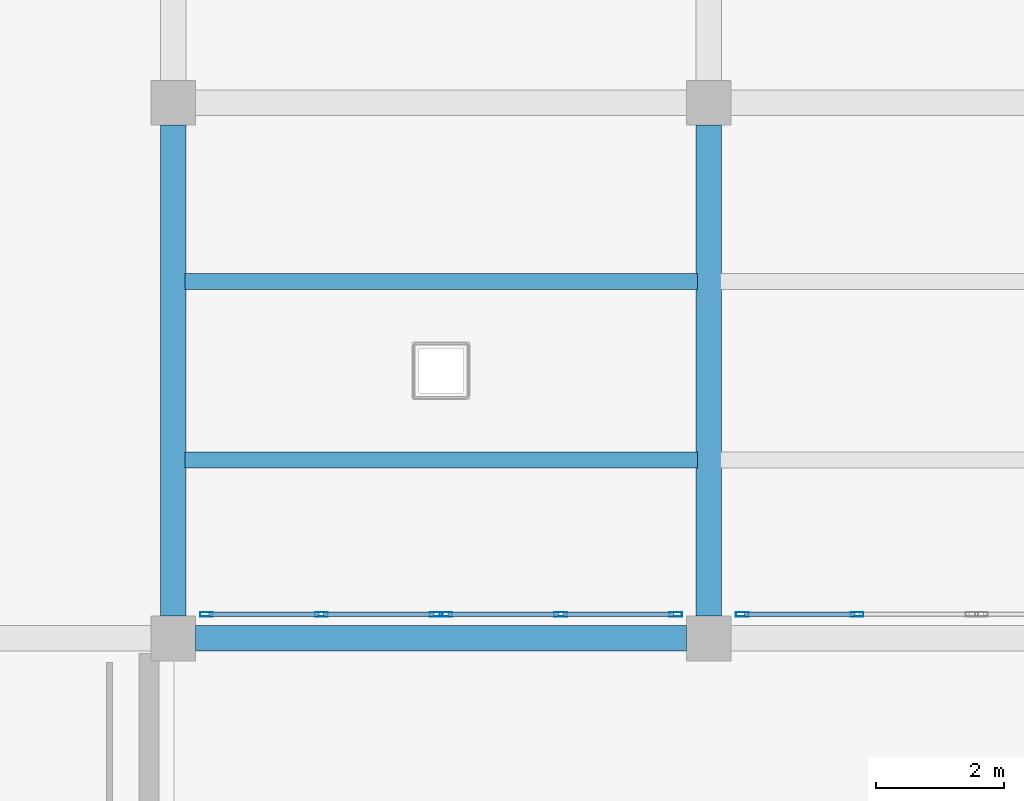
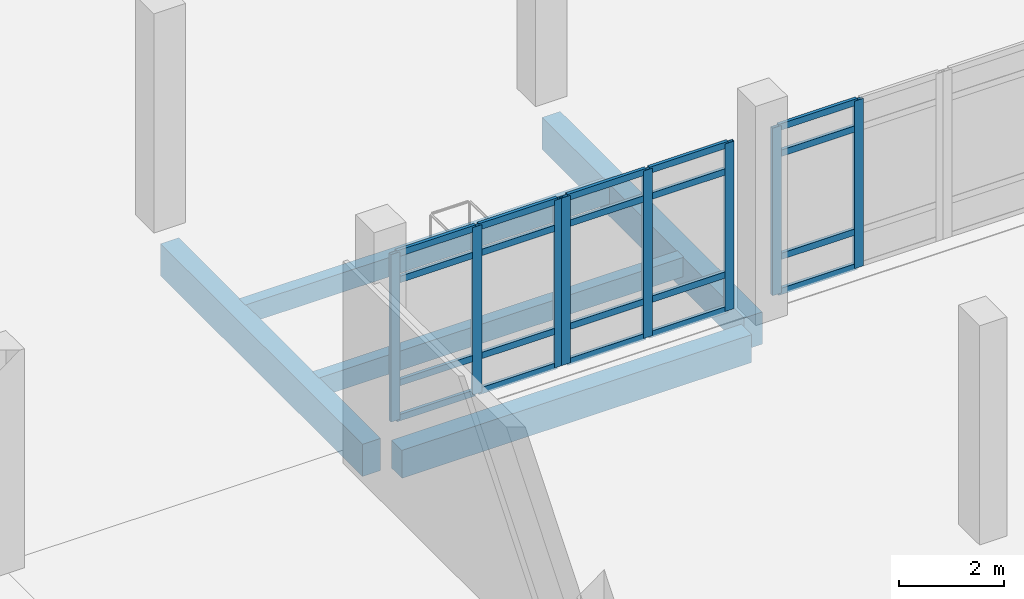
# One storey, part 7 of 64: 28 members, 5 beams, 3 elements without a shape of their own.
"""IFC4 building model written with IfcOpenShell, lengths in metres."""

from ifc_helpers import new_model, si_unit, derived_unit, direction, frame, origin, origin_2d, place, context, subcontext, project, spatial, rectangle, hollow_rectangle, extrude, material, layer, layer_set, material_profile, profile_set, type_object, element, aggregate, save


model = new_model("IFC4")

# Units and contexts
model_context = context("Model", 3, precision=1e-05, world=origin(), true_north=direction((0.0, 1.0)))
body_context = subcontext(model_context, "Body", "Model", "MODEL_VIEW")
ifc_project = project(units=[si_unit("LENGTHUNIT", "METRE"), si_unit("AREAUNIT", "SQUARE_METRE"), si_unit("VOLUMEUNIT", "CUBIC_METRE"), si_unit("PLANEANGLEUNIT", "RADIAN"), si_unit("MASSUNIT", "GRAM", prefix="KILO"), derived_unit("THERMALTRANSMITTANCEUNIT", [(si_unit("POWERUNIT", "WATT"), 1), (si_unit("LENGTHUNIT", "METRE"), -2), (si_unit("THERMODYNAMICTEMPERATUREUNIT", "KELVIN"), -1)])], contexts=[model_context])

# Site, building, storey
site_placement = place(None, origin())
site = spatial("IfcSite", under=ifc_project, at=site_placement, CompositionType="ELEMENT")
building_placement = place(site_placement, origin())
building = spatial("IfcBuilding", under=site, at=building_placement, Name="Elbkamm Science Centre", CompositionType="ELEMENT")
storey_placement = place(building_placement, origin())
storey = spatial("IfcBuildingStorey", under=building, at=storey_placement, Name="L00", CompositionType="ELEMENT", Elevation=0.0)

# Beams
ifc_material_1 = material(Name="Concrete C40/50", Category="concrete")
ifc_material_profile_1 = material_profile(ifc_material_1, rectangle(XDim=0.39990234375, YDim=0.64990234375, at=origin_2d()), Name="RC 400x650")
ifc_profile_set_1 = profile_set([ifc_material_profile_1], Name="Concrete C40/50")
beam_type_1 = type_object("IfcBeamType", Name="BM-RC-400x650", PredefinedType="BEAM", material=ifc_profile_set_1)
beam_placement = place(storey_placement, frame((101.14990234375, 42.0, -0.625), z_axis=(1.0, 0.0, 0.0), x_axis=(0.0, 1.0, 0.0)))
element("IfcBeam", 1, at=beam_placement, inside=storey, type_object=beam_type_1, Name="L00 Primary X-Girder 042", PredefinedType="BEAM", context=body_context, shape_type="SweptSolid", body=[
    extrude(rectangle(XDim=0.39990234375, YDim=0.64990234375, at=origin_2d()), origin(), (0.0, 0.0, 1.0), 7.7001953125),
])
ifc_material_profile_2 = material_profile(ifc_material_1, rectangle(XDim=0.39990234375, YDim=0.75, at=origin_2d()), Name="RC 400x750")
ifc_profile_set_2 = profile_set([ifc_material_profile_2], Name="Concrete C40/50")
beam_type_2 = type_object("IfcBeamType", Name="BM-RC-400x750", PredefinedType="BEAM", material=ifc_profile_set_2)
for number, where, z_axis, x_axis, name in (
    (2, (100.800048828125, 42.35009765625, -0.675048828125), (0.0, 1.0, 0.0), (-1.0, 0.0, 0.0), "L00 Primary Y-Girder 036"),
    (3, (109.199951171875, 42.35009765625, -0.675048828125), (0.0, 1.0, 0.0), (-1.0, 0.0, 0.0), "L00 Primary Y-Girder 040"),
):
    element("IfcBeam", number, at=place(storey_placement, frame(where, z_axis=z_axis, x_axis=x_axis)), inside=storey, type_object=beam_type_2, Name=name, PredefinedType="BEAM", context=body_context, shape_type="SweptSolid", body=[
        extrude(rectangle(XDim=0.39990234375, YDim=0.75, at=origin_2d()), origin(), (0.0, 0.0, 1.0), 7.699951171875),
    ])

# Curtain wall, members
ifc_material_2 = material(Name="Powder-coated aluminium and triple low-E glazing", Category="aluminium")
ifc_layer = layer(ifc_material_2, 0.159912109375)
ifc_layer_set = layer_set([ifc_layer], Name="Powder-coated aluminium and triple low-E glazing")
curtain_wall_type = type_object("IfcCurtainWallType", Name="CW-UNIT-3680x3900", PredefinedType="USERDEFINED", material=ifc_layer_set)
curtain_wall_1_placement = place(storey_placement, origin())
curtain_wall_1 = element("IfcCurtainWall", 4, at=curtain_wall_1_placement, inside=storey, type_object=curtain_wall_type, Name="L00 Unitised Curtain Wall 141", ObjectType="UNITISED CURTAIN WALL", PredefinedType="USERDEFINED")
ifc_material_3 = material(Name="Powder-coated aluminium EN AW-6060", Category="aluminium")
ifc_material_profile_3 = material_profile(ifc_material_3, hollow_rectangle(XDim=0.070068359375, YDim=0.199951171875, WallThickness=0.00439453125, at=origin_2d()), Name="ALU M70x200")
ifc_profile_set_3 = profile_set([ifc_material_profile_3], Name="Powder-coated aluminium EN AW-6060")
member_type_1 = type_object("IfcMemberType", Name="CW-MUL-70x200", PredefinedType="MULLION", material=ifc_profile_set_3)
member_1_placement = place(storey_placement, frame((111.523193359375, 42.3798828125, 0.0), z_axis=(0.0, 0.0, 1.0), x_axis=(0.0, -1.0, 0.0)))
member_1 = element("IfcMember", 5, at=member_1_placement, type_object=member_type_1, Name="CW-066 mullion 2", PredefinedType="MULLION", context=body_context, shape_type="SweptSolid", body=[
    extrude(hollow_rectangle(XDim=0.070068359375, YDim=0.199951171875, WallThickness=0.00439453125, at=origin_2d()), origin(), (0.0, 0.0, 1.0), 3.89990234375),
])
member_2_placement = place(storey_placement, frame((109.72119140625, 42.3798828125, 0.0), z_axis=(0.0, 0.0, 1.0), x_axis=(0.0, -1.0, 0.0)))
member_2 = element("IfcMember", 6, at=member_2_placement, type_object=member_type_1, Name="CW-066 mullion 3", PredefinedType="MULLION", context=body_context, shape_type="SweptSolid", body=[
    extrude(hollow_rectangle(XDim=0.070068359375, YDim=0.199951171875, WallThickness=0.00439453125, at=origin_2d()), origin(), (0.0, 0.0, 1.0), 3.89990234375),
])

curtain_wall_2_placement = place(storey_placement, origin())
curtain_wall_2 = element("IfcCurtainWall", 7, at=curtain_wall_2_placement, inside=storey, type_object=curtain_wall_type, Name="L00 Unitised Curtain Wall 142", ObjectType="UNITISED CURTAIN WALL", PredefinedType="USERDEFINED")
member_3_placement = place(storey_placement, frame((108.6787109375, 42.3798828125, 0.0), z_axis=(0.0, 0.0, 1.0), x_axis=(0.0, -1.0, 0.0)))
member_3 = element("IfcMember", 8, at=member_3_placement, type_object=member_type_1, Name="CW-066 mullion 1", PredefinedType="MULLION", context=body_context, shape_type="SweptSolid", body=[
    extrude(hollow_rectangle(XDim=0.070068359375, YDim=0.199951171875, WallThickness=0.00439453125, at=origin_2d()), origin(), (0.0, 0.0, 1.0), 3.89990234375),
])
member_4_placement = place(storey_placement, frame((106.876953125, 42.3798828125, 0.0), z_axis=(0.0, 0.0, 1.0), x_axis=(0.0, -1.0, 0.0)))
member_4 = element("IfcMember", 9, at=member_4_placement, type_object=member_type_1, Name="CW-066 mullion 2", PredefinedType="MULLION", context=body_context, shape_type="SweptSolid", body=[
    extrude(hollow_rectangle(XDim=0.070068359375, YDim=0.199951171875, WallThickness=0.00439453125, at=origin_2d()), origin(), (0.0, 0.0, 1.0), 3.89990234375),
])
member_5_placement = place(storey_placement, frame((105.074951171875, 42.3798828125, 0.0), z_axis=(0.0, 0.0, 1.0), x_axis=(0.0, -1.0, 0.0)))
member_5 = element("IfcMember", 10, at=member_5_placement, type_object=member_type_1, Name="CW-066 mullion 3", PredefinedType="MULLION", context=body_context, shape_type="SweptSolid", body=[
    extrude(hollow_rectangle(XDim=0.070068359375, YDim=0.199951171875, WallThickness=0.00439453125, at=origin_2d()), origin(), (0.0, 0.0, 1.0), 3.89990234375),
])

curtain_wall_3_placement = place(storey_placement, origin())
curtain_wall_3 = element("IfcCurtainWall", 11, at=curtain_wall_3_placement, inside=storey, type_object=curtain_wall_type, Name="L00 Unitised Curtain Wall 143", ObjectType="UNITISED CURTAIN WALL", PredefinedType="USERDEFINED")
member_6_placement = place(storey_placement, frame((104.925048828125, 42.3798828125, 0.0), z_axis=(0.0, 0.0, 1.0), x_axis=(0.0, -1.0, 0.0)))
member_6 = element("IfcMember", 12, at=member_6_placement, type_object=member_type_1, Name="CW-066 mullion 1", PredefinedType="MULLION", context=body_context, shape_type="SweptSolid", body=[
    extrude(hollow_rectangle(XDim=0.070068359375, YDim=0.199951171875, WallThickness=0.00439453125, at=origin_2d()), origin(), (0.0, 0.0, 1.0), 3.89990234375),
])
member_7_placement = place(storey_placement, frame((103.123046875, 42.3798828125, 0.0), z_axis=(0.0, 0.0, 1.0), x_axis=(0.0, -1.0, 0.0)))
member_7 = element("IfcMember", 13, at=member_7_placement, type_object=member_type_1, Name="CW-066 mullion 2", PredefinedType="MULLION", context=body_context, shape_type="SweptSolid", body=[
    extrude(hollow_rectangle(XDim=0.070068359375, YDim=0.199951171875, WallThickness=0.00439453125, at=origin_2d()), origin(), (0.0, 0.0, 1.0), 3.89990234375),
])
member_8_placement = place(storey_placement, frame((101.3212890625, 42.3798828125, 0.0), z_axis=(0.0, 0.0, 1.0), x_axis=(0.0, -1.0, 0.0)))
member_8 = element("IfcMember", 14, at=member_8_placement, type_object=member_type_1, Name="CW-066 mullion 3", PredefinedType="MULLION", context=body_context, shape_type="SweptSolid", body=[
    extrude(hollow_rectangle(XDim=0.070068359375, YDim=0.199951171875, WallThickness=0.00439453125, at=origin_2d()), origin(), (0.0, 0.0, 1.0), 3.89990234375),
])

# Member
ifc_material_profile_4 = material_profile(ifc_material_3, hollow_rectangle(XDim=0.070068359375, YDim=0.14990234375, WallThickness=0.00390625, at=origin_2d()), Name="ALU T70x150")
ifc_profile_set_4 = profile_set([ifc_material_profile_4], Name="Powder-coated aluminium EN AW-6060")
member_type_2 = type_object("IfcMemberType", Name="CW-TRN-70x150", PredefinedType="USERDEFINED", material=ifc_profile_set_4)
member_9_placement = place(storey_placement, frame((111.488037109375, 42.3798828125, 0.034912109375), z_axis=(-1.0, 0.0, 0.0), x_axis=(0.0, -1.0, 0.0)))
member_9 = element("IfcMember", 15, at=member_9_placement, type_object=member_type_2, Name="CW-066 transom 2.1", ObjectType="TRANSOM", PredefinedType="USERDEFINED", context=body_context, shape_type="SweptSolid", body=[
    extrude(hollow_rectangle(XDim=0.070068359375, YDim=0.14990234375, WallThickness=0.00390625, at=origin_2d()), origin(), (0.0, 0.0, 1.0), 1.731689453125),
])

member_10_placement = place(storey_placement, frame((111.488037109375, 42.3798828125, 0.85009765625), z_axis=(-1.0, 0.0, 0.0), x_axis=(0.0, -1.0, 0.0)))
member_10 = element("IfcMember", 16, at=member_10_placement, type_object=member_type_2, Name="CW-066 transom 2.2", ObjectType="TRANSOM", PredefinedType="USERDEFINED", context=body_context, shape_type="SweptSolid", body=[
    extrude(hollow_rectangle(XDim=0.070068359375, YDim=0.14990234375, WallThickness=0.00390625, at=origin_2d()), origin(), (0.0, 0.0, 1.0), 1.731689453125),
])

member_11_placement = place(storey_placement, frame((111.488037109375, 42.3798828125, 3.25), z_axis=(-1.0, 0.0, 0.0), x_axis=(0.0, -1.0, 0.0)))
member_11 = element("IfcMember", 17, at=member_11_placement, type_object=member_type_2, Name="CW-066 transom 2.3", ObjectType="TRANSOM", PredefinedType="USERDEFINED", context=body_context, shape_type="SweptSolid", body=[
    extrude(hollow_rectangle(XDim=0.070068359375, YDim=0.14990234375, WallThickness=0.00390625, at=origin_2d()), origin(), (0.0, 0.0, 1.0), 1.731689453125),
])

member_12_placement = place(storey_placement, frame((111.488037109375, 42.3798828125, 3.864990234375), z_axis=(-1.0, 0.0, 0.0), x_axis=(0.0, -1.0, 0.0)))
member_12 = element("IfcMember", 18, at=member_12_placement, type_object=member_type_2, Name="CW-066 transom 2.4", ObjectType="TRANSOM", PredefinedType="USERDEFINED", context=body_context, shape_type="SweptSolid", body=[
    extrude(hollow_rectangle(XDim=0.070068359375, YDim=0.14990234375, WallThickness=0.00390625, at=origin_2d()), origin(), (0.0, 0.0, 1.0), 1.731689453125),
])

aggregate(curtain_wall_1, [member_1, member_2, member_9, member_10, member_11, member_12])

member_13_placement = place(storey_placement, frame((108.643798828125, 42.3798828125, 0.034912109375), z_axis=(-1.0, 0.0, 0.0), x_axis=(0.0, -1.0, 0.0)))
member_13 = element("IfcMember", 19, at=member_13_placement, type_object=member_type_2, Name="CW-066 transom 1.1", ObjectType="TRANSOM", PredefinedType="USERDEFINED", context=body_context, shape_type="SweptSolid", body=[
    extrude(hollow_rectangle(XDim=0.070068359375, YDim=0.14990234375, WallThickness=0.00390625, at=origin_2d()), origin(), (0.0, 0.0, 1.0), 1.73193359375),
])

member_14_placement = place(storey_placement, frame((108.643798828125, 42.3798828125, 0.85009765625), z_axis=(-1.0, 0.0, 0.0), x_axis=(0.0, -1.0, 0.0)))
member_14 = element("IfcMember", 20, at=member_14_placement, type_object=member_type_2, Name="CW-066 transom 1.2", ObjectType="TRANSOM", PredefinedType="USERDEFINED", context=body_context, shape_type="SweptSolid", body=[
    extrude(hollow_rectangle(XDim=0.070068359375, YDim=0.14990234375, WallThickness=0.00390625, at=origin_2d()), origin(), (0.0, 0.0, 1.0), 1.73193359375),
])

member_15_placement = place(storey_placement, frame((108.643798828125, 42.3798828125, 3.25), z_axis=(-1.0, 0.0, 0.0), x_axis=(0.0, -1.0, 0.0)))
member_15 = element("IfcMember", 21, at=member_15_placement, type_object=member_type_2, Name="CW-066 transom 1.3", ObjectType="TRANSOM", PredefinedType="USERDEFINED", context=body_context, shape_type="SweptSolid", body=[
    extrude(hollow_rectangle(XDim=0.070068359375, YDim=0.14990234375, WallThickness=0.00390625, at=origin_2d()), origin(), (0.0, 0.0, 1.0), 1.73193359375),
])

member_16_placement = place(storey_placement, frame((108.643798828125, 42.3798828125, 3.864990234375), z_axis=(-1.0, 0.0, 0.0), x_axis=(0.0, -1.0, 0.0)))
member_16 = element("IfcMember", 22, at=member_16_placement, type_object=member_type_2, Name="CW-066 transom 1.4", ObjectType="TRANSOM", PredefinedType="USERDEFINED", context=body_context, shape_type="SweptSolid", body=[
    extrude(hollow_rectangle(XDim=0.070068359375, YDim=0.14990234375, WallThickness=0.00390625, at=origin_2d()), origin(), (0.0, 0.0, 1.0), 1.73193359375),
])

member_17_placement = place(storey_placement, frame((106.841796875, 42.3798828125, 0.034912109375), z_axis=(-1.0, 0.0, 0.0), x_axis=(0.0, -1.0, 0.0)))
member_17 = element("IfcMember", 23, at=member_17_placement, type_object=member_type_2, Name="CW-066 transom 2.1", ObjectType="TRANSOM", PredefinedType="USERDEFINED", context=body_context, shape_type="SweptSolid", body=[
    extrude(hollow_rectangle(XDim=0.070068359375, YDim=0.14990234375, WallThickness=0.00390625, at=origin_2d()), origin(), (0.0, 0.0, 1.0), 1.731689453125),
])

member_18_placement = place(storey_placement, frame((106.841796875, 42.3798828125, 0.85009765625), z_axis=(-1.0, 0.0, 0.0), x_axis=(0.0, -1.0, 0.0)))
member_18 = element("IfcMember", 24, at=member_18_placement, type_object=member_type_2, Name="CW-066 transom 2.2", ObjectType="TRANSOM", PredefinedType="USERDEFINED", context=body_context, shape_type="SweptSolid", body=[
    extrude(hollow_rectangle(XDim=0.070068359375, YDim=0.14990234375, WallThickness=0.00390625, at=origin_2d()), origin(), (0.0, 0.0, 1.0), 1.731689453125),
])

member_19_placement = place(storey_placement, frame((106.841796875, 42.3798828125, 3.25), z_axis=(-1.0, 0.0, 0.0), x_axis=(0.0, -1.0, 0.0)))
member_19 = element("IfcMember", 25, at=member_19_placement, type_object=member_type_2, Name="CW-066 transom 2.3", ObjectType="TRANSOM", PredefinedType="USERDEFINED", context=body_context, shape_type="SweptSolid", body=[
    extrude(hollow_rectangle(XDim=0.070068359375, YDim=0.14990234375, WallThickness=0.00390625, at=origin_2d()), origin(), (0.0, 0.0, 1.0), 1.731689453125),
])

member_20_placement = place(storey_placement, frame((106.841796875, 42.3798828125, 3.864990234375), z_axis=(-1.0, 0.0, 0.0), x_axis=(0.0, -1.0, 0.0)))
member_20 = element("IfcMember", 26, at=member_20_placement, type_object=member_type_2, Name="CW-066 transom 2.4", ObjectType="TRANSOM", PredefinedType="USERDEFINED", context=body_context, shape_type="SweptSolid", body=[
    extrude(hollow_rectangle(XDim=0.070068359375, YDim=0.14990234375, WallThickness=0.00390625, at=origin_2d()), origin(), (0.0, 0.0, 1.0), 1.731689453125),
])

aggregate(curtain_wall_2, [member_3, member_4, member_5, member_13, member_14, member_15, member_16, member_17, member_18, member_19, member_20])

member_21_placement = place(storey_placement, frame((104.889892578125, 42.3798828125, 0.034912109375), z_axis=(-1.0, 0.0, 0.0), x_axis=(0.0, -1.0, 0.0)))
member_21 = element("IfcMember", 27, at=member_21_placement, type_object=member_type_2, Name="CW-066 transom 1.1", ObjectType="TRANSOM", PredefinedType="USERDEFINED", context=body_context, shape_type="SweptSolid", body=[
    extrude(hollow_rectangle(XDim=0.070068359375, YDim=0.14990234375, WallThickness=0.00390625, at=origin_2d()), origin(), (0.0, 0.0, 1.0), 1.731689453125),
])

member_22_placement = place(storey_placement, frame((104.889892578125, 42.3798828125, 0.85009765625), z_axis=(-1.0, 0.0, 0.0), x_axis=(0.0, -1.0, 0.0)))
member_22 = element("IfcMember", 28, at=member_22_placement, type_object=member_type_2, Name="CW-066 transom 1.2", ObjectType="TRANSOM", PredefinedType="USERDEFINED", context=body_context, shape_type="SweptSolid", body=[
    extrude(hollow_rectangle(XDim=0.070068359375, YDim=0.14990234375, WallThickness=0.00390625, at=origin_2d()), origin(), (0.0, 0.0, 1.0), 1.731689453125),
])

member_23_placement = place(storey_placement, frame((104.889892578125, 42.3798828125, 3.25), z_axis=(-1.0, 0.0, 0.0), x_axis=(0.0, -1.0, 0.0)))
member_23 = element("IfcMember", 29, at=member_23_placement, type_object=member_type_2, Name="CW-066 transom 1.3", ObjectType="TRANSOM", PredefinedType="USERDEFINED", context=body_context, shape_type="SweptSolid", body=[
    extrude(hollow_rectangle(XDim=0.070068359375, YDim=0.14990234375, WallThickness=0.00390625, at=origin_2d()), origin(), (0.0, 0.0, 1.0), 1.731689453125),
])

member_24_placement = place(storey_placement, frame((104.889892578125, 42.3798828125, 3.864990234375), z_axis=(-1.0, 0.0, 0.0), x_axis=(0.0, -1.0, 0.0)))
member_24 = element("IfcMember", 30, at=member_24_placement, type_object=member_type_2, Name="CW-066 transom 1.4", ObjectType="TRANSOM", PredefinedType="USERDEFINED", context=body_context, shape_type="SweptSolid", body=[
    extrude(hollow_rectangle(XDim=0.070068359375, YDim=0.14990234375, WallThickness=0.00390625, at=origin_2d()), origin(), (0.0, 0.0, 1.0), 1.731689453125),
])

member_25_placement = place(storey_placement, frame((103.088134765625, 42.3798828125, 0.034912109375), z_axis=(-1.0, 0.0, 0.0), x_axis=(0.0, -1.0, 0.0)))
member_25 = element("IfcMember", 31, at=member_25_placement, type_object=member_type_2, Name="CW-066 transom 2.1", ObjectType="TRANSOM", PredefinedType="USERDEFINED", context=body_context, shape_type="SweptSolid", body=[
    extrude(hollow_rectangle(XDim=0.070068359375, YDim=0.14990234375, WallThickness=0.00390625, at=origin_2d()), origin(), (0.0, 0.0, 1.0), 1.73193359375),
])

member_26_placement = place(storey_placement, frame((103.088134765625, 42.3798828125, 0.85009765625), z_axis=(-1.0, 0.0, 0.0), x_axis=(0.0, -1.0, 0.0)))
member_26 = element("IfcMember", 32, at=member_26_placement, type_object=member_type_2, Name="CW-066 transom 2.2", ObjectType="TRANSOM", PredefinedType="USERDEFINED", context=body_context, shape_type="SweptSolid", body=[
    extrude(hollow_rectangle(XDim=0.070068359375, YDim=0.14990234375, WallThickness=0.00390625, at=origin_2d()), origin(), (0.0, 0.0, 1.0), 1.73193359375),
])

member_27_placement = place(storey_placement, frame((103.088134765625, 42.3798828125, 3.25), z_axis=(-1.0, 0.0, 0.0), x_axis=(0.0, -1.0, 0.0)))
member_27 = element("IfcMember", 33, at=member_27_placement, type_object=member_type_2, Name="CW-066 transom 2.3", ObjectType="TRANSOM", PredefinedType="USERDEFINED", context=body_context, shape_type="SweptSolid", body=[
    extrude(hollow_rectangle(XDim=0.070068359375, YDim=0.14990234375, WallThickness=0.00390625, at=origin_2d()), origin(), (0.0, 0.0, 1.0), 1.73193359375),
])

member_28_placement = place(storey_placement, frame((103.088134765625, 42.3798828125, 3.864990234375), z_axis=(-1.0, 0.0, 0.0), x_axis=(0.0, -1.0, 0.0)))
member_28 = element("IfcMember", 34, at=member_28_placement, type_object=member_type_2, Name="CW-066 transom 2.4", ObjectType="TRANSOM", PredefinedType="USERDEFINED", context=body_context, shape_type="SweptSolid", body=[
    extrude(hollow_rectangle(XDim=0.070068359375, YDim=0.14990234375, WallThickness=0.00390625, at=origin_2d()), origin(), (0.0, 0.0, 1.0), 1.73193359375),
])

aggregate(curtain_wall_3, [member_6, member_7, member_8, member_21, member_22, member_23, member_24, member_25, member_26, member_27, member_28])

# Beams
ifc_material_profile_5 = material_profile(ifc_material_1, rectangle(XDim=0.25, YDim=0.449951171875, at=origin_2d()), Name="RC 250x450")
ifc_profile_set_5 = profile_set([ifc_material_profile_5], Name="Concrete C40/50")
beam_type_3 = type_object("IfcBeamType", Name="JST-RC-250x450", PredefinedType="JOIST", material=ifc_profile_set_5)
for number, where, z_axis, x_axis, name in (
    (35, (100.97998046875, 44.800048828125, -0.52490234375), (1.0, 0.0, 0.0), (0.0, 1.0, 0.0), "L00 Secondary Floor Joist 025"),
    (36, (100.97998046875, 47.60009765625, -0.52490234375), (1.0, 0.0, 0.0), (0.0, 1.0, 0.0), "L00 Secondary Floor Joist 026"),
):
    element("IfcBeam", number, at=place(storey_placement, frame(where, z_axis=z_axis, x_axis=x_axis)), inside=storey, type_object=beam_type_3, Name=name, PredefinedType="JOIST", context=body_context, shape_type="SweptSolid", body=[
        extrude(rectangle(XDim=0.25, YDim=0.449951171875, at=origin_2d()), origin(), (0.0, 0.0, 1.0), 8.0400390625),
    ])

save(model, "model.ifc")
